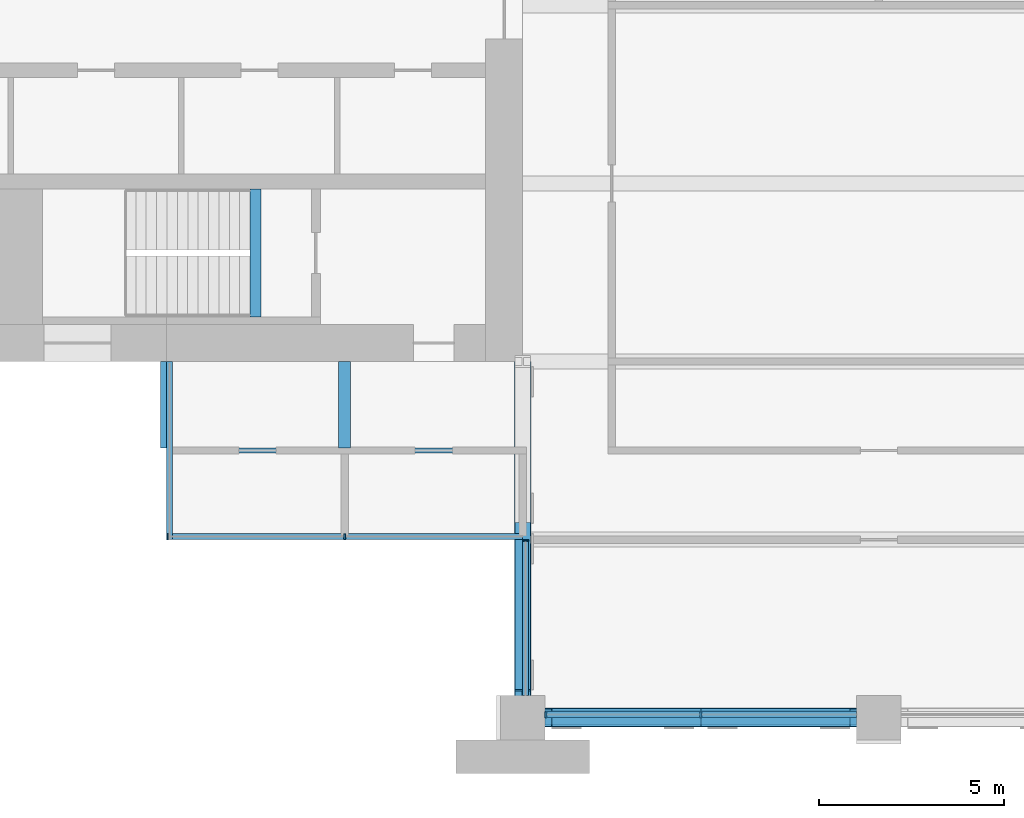
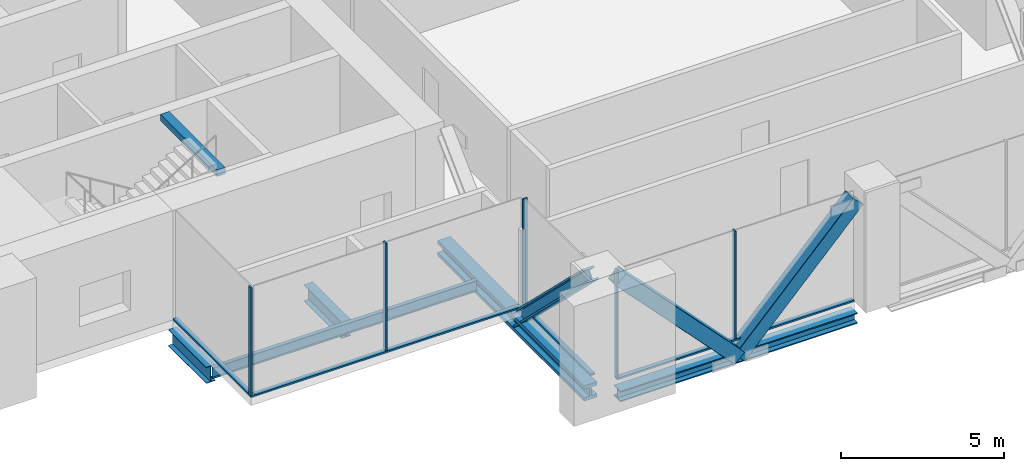
# One storey, part 2 of 14: 12 members, 6 beams, 4 elements without a shape of their own.
"""IFC4 building model written with IfcOpenShell, lengths in metres."""

from ifc_helpers import new_model, si_unit, direction, frame, origin, origin_2d, place, context, subcontext, project, spatial, rectangle, hollow_rectangle, i_section, extrude, material, material_profile, profile_set, type_object, element, aggregate, save


model = new_model("IFC4")

# Units and contexts
model_context = context("Model", 3, precision=1e-05, world=origin(), true_north=direction((0.0, 1.0)))
body_context = subcontext(model_context, "Body", "Model", "MODEL_VIEW")
ifc_project = project(units=[si_unit("LENGTHUNIT", "METRE"), si_unit("AREAUNIT", "SQUARE_METRE"), si_unit("VOLUMEUNIT", "CUBIC_METRE"), si_unit("PLANEANGLEUNIT", "RADIAN"), si_unit("MASSUNIT", "GRAM", prefix="KILO")], contexts=[model_context])

# Site, building, storey
site_placement = place(None, origin())
site = spatial("IfcSite", under=ifc_project, at=site_placement, CompositionType="ELEMENT")
building_placement = place(site_placement, origin())
building = spatial("IfcBuilding", under=site, at=building_placement, Name="Baori Bourse Tower", CompositionType="ELEMENT")
storey_placement = place(building_placement, frame((0.0, 0.0, 176.10009765625)))
storey = spatial("IfcBuildingStorey", under=building, at=storey_placement, Name="L39", CompositionType="ELEMENT", Elevation=176.10009765625)

# Beam
ifc_material_1 = material(Name="Steel A913 Gr 65", Category="steel")
ifc_material_profile_1 = material_profile(ifc_material_1, i_section(OverallWidth=0.4013671875, OverallDepth=0.398681640625, WebThickness=0.02490234375, FlangeThickness=0.03955078125, at=origin_2d()), Name="W14x211")
ifc_profile_set_1 = profile_set([ifc_material_profile_1], Name="Steel A913 Gr 65")
beam_type_1 = type_object("IfcBeamType", Name="Belt truss chord W14x211", PredefinedType="BEAM", material=ifc_profile_set_1)
beam_1_placement = place(storey_placement, frame((19.800048828125, 0.0, -0.49951171875), z_axis=(1.0, 0.0, 0.0), x_axis=(0.0, 1.0, 0.0)))
element("IfcBeam", 1, at=beam_1_placement, inside=storey, type_object=beam_type_1, Name="Belt truss chord L39", PredefinedType="BEAM", context=body_context, shape_type="SweptSolid", body=[
    extrude(i_section(OverallWidth=0.4013671875, OverallDepth=0.398681640625, WebThickness=0.02490234375, FlangeThickness=0.03955078125, at=origin_2d()), origin(), (0.0, 0.0, 1.0), 8.39990234375),
])

# Members
ifc_material_2 = material(Name="Steel A500 Gr C", Category="steel")
ifc_material_profile_2 = material_profile(ifc_material_2, hollow_rectangle(XDim=0.508056640625, YDim=0.508056640625, WallThickness=0.0146484375, InnerFilletRadius=0.00732421875, OuterFilletRadius=0.022216796875, at=origin_2d()), Name="HSS20x20x5/8")
ifc_profile_set_2 = profile_set([ifc_material_profile_2], Name="Steel A500 Gr C")
member_type_1 = type_object("IfcMemberType", Name="Belt truss diagonal HSS20x20x5/8", PredefinedType="BRACE", material=ifc_profile_set_2)
for number, where, z_axis, x_axis, name in (
    (2, (19.800048828125, 0.0, 3.900390625), (0.690479565127, 0.0, -0.723351899245), (0.0, 1.0, 0.0), "Belt truss diagonal L39"),
    (3, (24.0, 0.0, -0.49951171875), (0.690479565127, 0.0, 0.723351899245), (0.0, 1.0, 0.0), "Belt truss diagonal L39"),
):
    element("IfcMember", number, at=place(storey_placement, frame(where, z_axis=z_axis, x_axis=x_axis)), inside=storey, type_object=member_type_1, Name=name, PredefinedType="BRACE", context=body_context, shape_type="SweptSolid", body=[
        extrude(hollow_rectangle(XDim=0.508056640625, YDim=0.508056640625, WallThickness=0.0146484375, InnerFilletRadius=0.00732421875, OuterFilletRadius=0.022216796875, at=origin_2d()), origin(), (0.0, 0.0, 1.0), 6.082763671875),
    ])

# Curtain wall, members
ifc_material_3 = material(Name="Pale anodised aluminium", Category="aluminium")
curtain_wall_type = type_object("IfcCurtainWallType", Name="CW3 Curtain wall", PredefinedType="NOTDEFINED", material=ifc_material_3)
curtain_wall_1_placement = place(storey_placement, origin())
curtain_wall_1 = element("IfcCurtainWall", 4, at=curtain_wall_1_placement, inside=storey, type_object=curtain_wall_type, Name="Curtain wall CW3 L39 9", PredefinedType="NOTDEFINED")
ifc_material_4 = material(Name="Pale anodised aluminium", Category="aluminium")
ifc_material_profile_3 = material_profile(ifc_material_4, rectangle(XDim=0.159912109375, YDim=0.050048828125, at=origin_2d()), Name="Mullion 50x160")
ifc_profile_set_3 = profile_set([ifc_material_profile_3], Name="Pale anodised aluminium")
member_type_2 = type_object("IfcMemberType", Name="CW3 Curtain wall mullion", PredefinedType="MULLION", material=ifc_profile_set_3)
member_1_placement = place(storey_placement, frame((9.625, 4.8798828125, 0.059814453125), z_axis=(0.0, 0.0, 1.0), x_axis=(0.0, 1.0, 0.0)))
member_1 = element("IfcMember", 5, at=member_1_placement, type_object=member_type_2, Name="Curtain wall CW3 mullion", PredefinedType="MULLION", context=body_context, shape_type="SweptSolid", body=[
    extrude(rectangle(XDim=0.159912109375, YDim=0.050048828125, at=origin_2d()), origin(), (0.0, 0.0, 1.0), 4.0400390625),
])
member_2_placement = place(storey_placement, frame((14.39990234375, 4.8798828125, 0.059814453125), z_axis=(0.0, 0.0, 1.0), x_axis=(0.0, 1.0, 0.0)))
member_2 = element("IfcMember", 6, at=member_2_placement, type_object=member_type_2, Name="Curtain wall CW3 mullion", PredefinedType="MULLION", context=body_context, shape_type="SweptSolid", body=[
    extrude(rectangle(XDim=0.159912109375, YDim=0.050048828125, at=origin_2d()), origin(), (0.0, 0.0, 1.0), 4.0400390625),
])

# Curtain wall, member
curtain_wall_2_placement = place(storey_placement, origin())
curtain_wall_2 = element("IfcCurtainWall", 7, at=curtain_wall_2_placement, inside=storey, type_object=curtain_wall_type, Name="Curtain wall CW3 L39 10", PredefinedType="NOTDEFINED")
member_3_placement = place(storey_placement, frame((19.280029296875, 4.77490234375, 0.059814453125), z_axis=(0.0, 0.0, 1.0), x_axis=(1.0, 0.0, 0.0)))
member_3 = element("IfcMember", 8, at=member_3_placement, type_object=member_type_2, Name="Curtain wall CW3 mullion", PredefinedType="MULLION", context=body_context, shape_type="SweptSolid", body=[
    extrude(rectangle(XDim=0.159912109375, YDim=0.050048828125, at=origin_2d()), origin(), (0.0, 0.0, 1.0), 4.0400390625),
])

# Curtain wall, members
curtain_wall_3_placement = place(storey_placement, origin())
curtain_wall_3 = element("IfcCurtainWall", 9, at=curtain_wall_3_placement, inside=storey, type_object=curtain_wall_type, Name="Curtain wall CW3 L39 11", PredefinedType="NOTDEFINED")
member_4_placement = place(storey_placement, frame((19.824951171875, 0.080078125, 0.059814453125), z_axis=(0.0, 0.0, 1.0), x_axis=(0.0, 1.0, 0.0)))
member_4 = element("IfcMember", 10, at=member_4_placement, type_object=member_type_2, Name="Curtain wall CW3 mullion", PredefinedType="MULLION", context=body_context, shape_type="SweptSolid", body=[
    extrude(rectangle(XDim=0.159912109375, YDim=0.050048828125, at=origin_2d()), origin(), (0.0, 0.0, 1.0), 4.0400390625),
])
member_5_placement = place(storey_placement, frame((24.0, 0.080078125, 0.059814453125), z_axis=(0.0, 0.0, 1.0), x_axis=(0.0, 1.0, 0.0)))
member_5 = element("IfcMember", 11, at=member_5_placement, type_object=member_type_2, Name="Curtain wall CW3 mullion", PredefinedType="MULLION", context=body_context, shape_type="SweptSolid", body=[
    extrude(rectangle(XDim=0.159912109375, YDim=0.050048828125, at=origin_2d()), origin(), (0.0, 0.0, 1.0), 4.0400390625),
])

# Curtain wall, member
curtain_wall_4_placement = place(storey_placement, origin())
curtain_wall_4 = element("IfcCurtainWall", 12, at=curtain_wall_4_placement, inside=storey, type_object=curtain_wall_type, Name="Curtain wall CW3 L39 8", PredefinedType="NOTDEFINED")
ifc_material_5 = material(Name="Pale anodised aluminium", Category="aluminium")
ifc_material_profile_4 = material_profile(ifc_material_5, rectangle(XDim=0.159912109375, YDim=0.06005859375, at=origin_2d()), Name="Transom 60x160")
ifc_profile_set_4 = profile_set([ifc_material_profile_4], Name="Pale anodised aluminium")
member_type_3 = type_object("IfcMemberType", Name="CW3 Curtain wall transom", PredefinedType="USERDEFINED", material=ifc_profile_set_4)
member_6_placement = place(storey_placement, frame((9.679931640625, 9.60009765625, 0.02978515625), z_axis=(0.0, -1.0, 0.0), x_axis=(1.0, 0.0, 0.0)))
member_6 = element("IfcMember", 13, at=member_6_placement, type_object=member_type_3, Name="Curtain wall CW3 sill rail", ObjectType="TRANSOM", PredefinedType="USERDEFINED", context=body_context, shape_type="SweptSolid", body=[
    extrude(rectangle(XDim=0.159912109375, YDim=0.06005859375, at=origin_2d()), origin(), (0.0, 0.0, 1.0), 4.800048828125),
])
aggregate(curtain_wall_4, [member_6])

# Member
member_7_placement = place(storey_placement, frame((9.60009765625, 4.8798828125, 0.02978515625), z_axis=(1.0, 0.0, 0.0), x_axis=(0.0, 1.0, 0.0)))
member_7 = element("IfcMember", 14, at=member_7_placement, type_object=member_type_3, Name="Curtain wall CW3 sill rail", ObjectType="TRANSOM", PredefinedType="USERDEFINED", context=body_context, shape_type="SweptSolid", body=[
    extrude(rectangle(XDim=0.159912109375, YDim=0.06005859375, at=origin_2d()), origin(), (0.0, 0.0, 1.0), 9.599853515625),
])

aggregate(curtain_wall_1, [member_7, member_1, member_2])

member_8_placement = place(storey_placement, frame((19.280029296875, 4.800048828125, 0.02978515625), z_axis=(0.0, -1.0, 0.0), x_axis=(1.0, 0.0, 0.0)))
member_8 = element("IfcMember", 15, at=member_8_placement, type_object=member_type_3, Name="Curtain wall CW3 sill rail", ObjectType="TRANSOM", PredefinedType="USERDEFINED", context=body_context, shape_type="SweptSolid", body=[
    extrude(rectangle(XDim=0.159912109375, YDim=0.06005859375, at=origin_2d()), origin(), (0.0, 0.0, 1.0), 4.199951171875),
])

aggregate(curtain_wall_2, [member_8, member_3])

member_9_placement = place(storey_placement, frame((19.800048828125, 0.080078125, 0.02978515625), z_axis=(1.0, 0.0, 0.0), x_axis=(0.0, 1.0, 0.0)))
member_9 = element("IfcMember", 16, at=member_9_placement, type_object=member_type_3, Name="Curtain wall CW3 sill rail", ObjectType="TRANSOM", PredefinedType="USERDEFINED", context=body_context, shape_type="SweptSolid", body=[
    extrude(rectangle(XDim=0.159912109375, YDim=0.06005859375, at=origin_2d()), origin(), (0.0, 0.0, 1.0), 8.39990234375),
])

aggregate(curtain_wall_3, [member_9, member_4, member_5])

# Beams
ifc_material_6 = material(Name="Steel A992 Gr 50", Category="steel")
ifc_material_profile_5 = material_profile(ifc_material_6, i_section(OverallWidth=0.3251953125, OverallDepth=0.612060546875, WebThickness=0.0126953125, FlangeThickness=0.01904296875, at=origin_2d()), Name="W24x104")
ifc_profile_set_5 = profile_set([ifc_material_profile_5], Name="Steel A992 Gr 50")
beam_type_2 = type_object("IfcBeamType", Name="Core bracket W24x104", PredefinedType="BEAM", material=ifc_profile_set_5)
for number, where, z_axis, x_axis, name in (
    (17, (9.60009765625, 7.270263671875, -0.606201171875), (0.0, 1.0, 0.0), (-1.0, 0.0, 0.0), "Core bracket L39"),
    (18, (14.39990234375, 7.270263671875, -0.606201171875), (0.0, 1.0, 0.0), (-1.0, 0.0, 0.0), "Core bracket L39"),
):
    element("IfcBeam", number, at=place(storey_placement, frame(where, z_axis=z_axis, x_axis=x_axis)), inside=storey, type_object=beam_type_2, Name=name, PredefinedType="BEAM", context=body_context, shape_type="SweptSolid", body=[
        extrude(i_section(OverallWidth=0.3251953125, OverallDepth=0.612060546875, WebThickness=0.0126953125, FlangeThickness=0.01904296875, at=origin_2d()), origin(), (0.0, 0.0, 1.0), 2.329833984375),
    ])
ifc_material_7 = material(Name="Steel A913 Gr 65", Category="steel")
ifc_material_profile_6 = material_profile(ifc_material_7, i_section(OverallWidth=0.45458984375, OverallDepth=0.56884765625, WebThickness=0.077880859375, FlangeThickness=0.124755859375, at=origin_2d()), Name="W14x730")
ifc_profile_set_6 = profile_set([ifc_material_profile_6], Name="Steel A913 Gr 65")
beam_type_3 = type_object("IfcBeamType", Name="Outrigger truss chord W14x730", PredefinedType="BEAM", material=ifc_profile_set_6)
beam_2_placement = place(storey_placement, frame((19.199951171875, 0.60009765625, -0.58447265625), z_axis=(0.0, 1.0, 0.0), x_axis=(-1.0, 0.0, 0.0)))
element("IfcBeam", 19, at=beam_2_placement, inside=storey, type_object=beam_type_3, Name="Outrigger truss chord L39", PredefinedType="BEAM", context=body_context, shape_type="SweptSolid", body=[
    extrude(i_section(OverallWidth=0.45458984375, OverallDepth=0.56884765625, WebThickness=0.077880859375, FlangeThickness=0.124755859375, at=origin_2d()), origin(), (0.0, 0.0, 1.0), 9.0),
])

# Member
ifc_material_8 = material(Name="Steel A913 Gr 65", Category="steel")
ifc_material_profile_7 = material_profile(ifc_material_8, i_section(OverallWidth=0.419189453125, OverallDepth=0.45458984375, WebThickness=0.042236328125, FlangeThickness=0.067626953125, at=origin_2d()), Name="W14x370")
ifc_profile_set_7 = profile_set([ifc_material_profile_7], Name="Steel A913 Gr 65")
member_type_4 = type_object("IfcMemberType", Name="Outrigger truss diagonal W14x370", PredefinedType="BRACE", material=ifc_profile_set_7)
member_10_placement = place(storey_placement, frame((19.199951171875, 0.60009765625, 3.8154296875), z_axis=(0.0, 0.715014425413, -0.699109699154), x_axis=(-1.0, 0.0, 0.0)))
element("IfcMember", 20, at=member_10_placement, inside=storey, type_object=member_type_4, Name="Outrigger truss diagonal L39", PredefinedType="BRACE", context=body_context, shape_type="SweptSolid", body=[
    extrude(i_section(OverallWidth=0.419189453125, OverallDepth=0.45458984375, WebThickness=0.042236328125, FlangeThickness=0.067626953125, at=origin_2d()), origin(), (0.0, 0.0, 1.0), 6.293701171875),
])

# Beams
ifc_material_9 = material(Name="Concrete f'c 50 MPa", Category="concrete")
ifc_material_profile_8 = material_profile(ifc_material_9, rectangle(XDim=0.300048828125, YDim=0.25, at=origin_2d()), Name="RC 300x250")
ifc_profile_set_8 = profile_set([ifc_material_profile_8], Name="Concrete f'c 50 MPa")
beam_type_4 = type_object("IfcBeamType", Name="Stair nib beam RC 300x250", PredefinedType="BEAM", material=ifc_profile_set_8)
beam_3_placement = place(storey_placement, frame((12.0, 10.800048828125, 3.974853515625), z_axis=(0.0, 1.0, 0.0), x_axis=(-1.0, 0.0, 0.0)))
element("IfcBeam", 21, at=beam_3_placement, inside=storey, type_object=beam_type_4, Name="Stair WA nib beam L40", PredefinedType="BEAM", context=body_context, shape_type="SweptSolid", body=[
    extrude(rectangle(XDim=0.300048828125, YDim=0.25, at=origin_2d()), origin(), (0.0, 0.0, 1.0), 3.449951171875),
])
ifc_material_10 = material(Name="Steel A992 Gr 50", Category="steel")
ifc_material_profile_9 = material_profile(ifc_material_10, i_section(OverallWidth=0.140380859375, OverallDepth=0.40380859375, WebThickness=0.007080078125, FlangeThickness=0.01123046875, at=origin_2d()), Name="W16x31")
ifc_profile_set_9 = profile_set([ifc_material_profile_9], Name="Steel A992 Gr 50")
beam_type_5 = type_object("IfcBeamType", Name="Trimmer beam W16x31", PredefinedType="BEAM", material=ifc_profile_set_9)
beam_4_placement = place(storey_placement, frame((9.60009765625, 7.199951171875, -0.501953125), z_axis=(1.0, 0.0, 0.0), x_axis=(0.0, 1.0, 0.0)))
element("IfcBeam", 22, at=beam_4_placement, inside=storey, type_object=beam_type_5, Name="Trimmer beam L39", PredefinedType="BEAM", context=body_context, shape_type="SweptSolid", body=[
    extrude(i_section(OverallWidth=0.140380859375, OverallDepth=0.40380859375, WebThickness=0.007080078125, FlangeThickness=0.01123046875, at=origin_2d()), origin(), (0.0, 0.0, 1.0), 9.37255859375),
])

save(model, "model.ifc")
